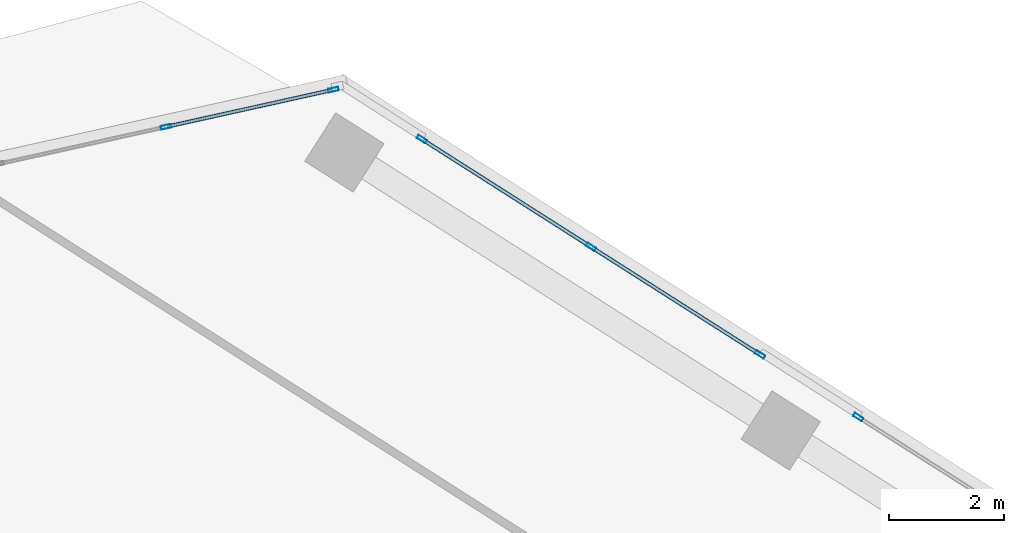
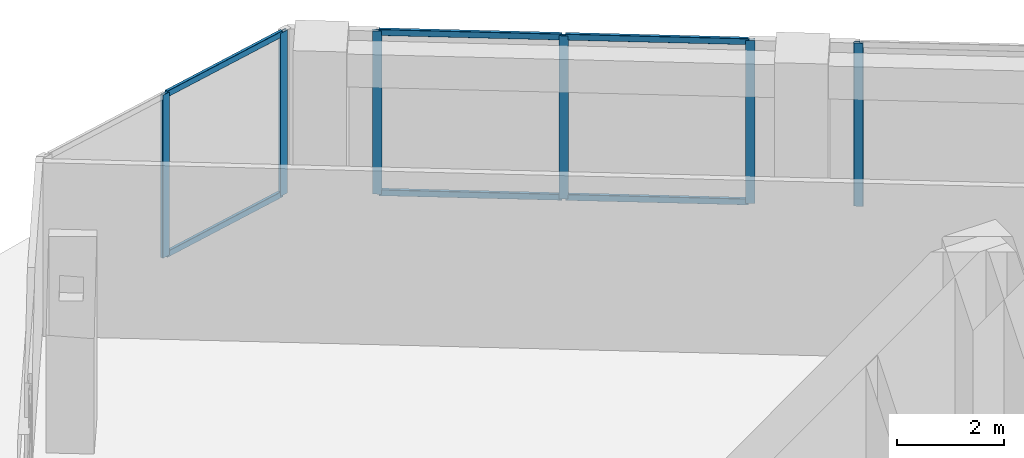
# One storey, part 15 of 23: 12 members, 3 elements without a shape of their own.
"""IFC4 building model written with IfcOpenShell, lengths in metres."""

from ifc_helpers import new_model, si_unit, direction, frame, origin, origin_2d, place, context, subcontext, project, spatial, hollow_rectangle, extrude, source, transform, mapped, material, material_profile, profile_set, type_object, element, aggregate, save


model = new_model("IFC4")

# Units and contexts
model_context = context("Model", 3, precision=1e-05, world=origin(), true_north=direction((0.0, 1.0)))
body_context = subcontext(model_context, "Body", "Model", "MODEL_VIEW")
ifc_project = project(units=[si_unit("LENGTHUNIT", "METRE"), si_unit("AREAUNIT", "SQUARE_METRE"), si_unit("VOLUMEUNIT", "CUBIC_METRE"), si_unit("PLANEANGLEUNIT", "RADIAN"), si_unit("MASSUNIT", "GRAM", prefix="KILO")], contexts=[model_context])

# Site, building, storey
site_placement = place(None, origin())
site = spatial("IfcSite", under=ifc_project, at=site_placement, CompositionType="ELEMENT")
building_placement = place(site_placement, origin())
building = spatial("IfcBuilding", under=site, at=building_placement, Name="Torre Montelarca", CompositionType="ELEMENT")
storey_placement = place(building_placement, frame((0.0, 0.0, 187.60009765625)))
storey = spatial("IfcBuildingStorey", under=building, at=storey_placement, Name="L42", CompositionType="ELEMENT", Elevation=187.60009765625)

# Curtain wall, members
ifc_material_1 = material(Name="Insulated low-E laminated glass", Category="glass")
curtain_wall_type = type_object("IfcCurtainWallType", Name="CW-SYS-Z2", PredefinedType="USERDEFINED", material=ifc_material_1)
curtain_wall_1_placement = place(storey_placement, origin())
curtain_wall_1 = element("IfcCurtainWall", 1, at=curtain_wall_1_placement, inside=storey, type_object=curtain_wall_type, Name="L42 Curtain Wall Run CW-T3-L42-E09-B1", ObjectType="UNITISED GLAZING", PredefinedType="USERDEFINED")
ifc_material_2 = material(Name="Anodised aluminium AA 6063-T6", Category="aluminium")
ifc_material_profile_1 = material_profile(ifc_material_2, hollow_rectangle(XDim=0.06494140625, YDim=0.139892578125, WallThickness=0.00390625, InnerFilletRadius=0.00390625, OuterFilletRadius=0.008056640625, at=origin_2d()), Name="ALU65X140X4", Category="aluminium")
ifc_profile_set_1 = profile_set([ifc_material_profile_1], Name="Anodised aluminium AA 6063-T6")
member_type_1 = type_object("IfcMemberType", Name="CWT-ALU140", PredefinedType="USERDEFINED", material=ifc_profile_set_1)
shared_shape_1 = source(origin(), body_context, "Body", "SweptSolid", [
    extrude(hollow_rectangle(XDim=0.06494140625, YDim=0.139892578125, WallThickness=0.00390625, InnerFilletRadius=0.00390625, OuterFilletRadius=0.008056640625, at=origin_2d()), origin(), (0.0, 0.0, 1.0), 2.91845703125),
])
member_1_placement = place(storey_placement, frame((18.874267578125, 52.578369140625, 0.032470703125), z_axis=(-0.976303049034, -0.216407847472, 0.0), x_axis=(0.216407847472, -0.976303049034, 0.0)))
member_1 = element("IfcMember", 2, at=member_1_placement, type_object=member_type_1, Name="CW transom 1.1", ObjectType="TRANSOM", PredefinedType="USERDEFINED", context=body_context, shape_type="MappedRepresentation", body=[
    mapped(shared_shape_1, transform((0.0, 0.0, 0.0), scale=1.0)),
])
member_2_placement = place(storey_placement, frame((18.874267578125, 52.578369140625, 3.6875), z_axis=(-0.976303049034, -0.216407847472, 0.0), x_axis=(0.216407847472, -0.976303049034, 0.0)))
member_2 = element("IfcMember", 3, at=member_2_placement, type_object=member_type_1, Name="CW transom 1.2", ObjectType="TRANSOM", PredefinedType="USERDEFINED", context=body_context, shape_type="MappedRepresentation", body=[
    mapped(shared_shape_1, transform((0.0, 0.0, 0.0), scale=1.0)),
])

# Curtain wall, member
curtain_wall_2_placement = place(storey_placement, origin())
curtain_wall_2 = element("IfcCurtainWall", 4, at=curtain_wall_2_placement, inside=storey, type_object=curtain_wall_type, Name="L42 Curtain Wall Run CW-T3-L42-E08-B3", ObjectType="UNITISED GLAZING", PredefinedType="USERDEFINED")
ifc_material_profile_2 = material_profile(ifc_material_2, hollow_rectangle(XDim=0.06494140625, YDim=0.179931640625, WallThickness=0.00390625, InnerFilletRadius=0.00390625, OuterFilletRadius=0.008056640625, at=origin_2d()), Name="ALU65X180X4", Category="aluminium")
ifc_profile_set_2 = profile_set([ifc_material_profile_2], Name="Anodised aluminium AA 6063-T6")
member_type_2 = type_object("IfcMemberType", Name="CWM-ALU180", PredefinedType="MULLION", material=ifc_profile_set_2)
shared_shape_2 = source(origin(), body_context, "Body", "SweptSolid", [
    extrude(hollow_rectangle(XDim=0.06494140625, YDim=0.179931640625, WallThickness=0.00390625, InnerFilletRadius=0.00390625, OuterFilletRadius=0.008056640625, at=origin_2d()), origin(), (0.0, 0.0, 1.0), 3.719970703125),
])
member_3_placement = place(storey_placement, frame((28.03662109375, 46.889892578125, 0.0), z_axis=(0.0, 0.0, 1.0), x_axis=(-0.537305573022, -0.843387645866, 0.0)))
member_3 = element("IfcMember", 5, at=member_3_placement, type_object=member_type_2, Name="CW mullion 3", PredefinedType="MULLION", context=body_context, shape_type="MappedRepresentation", body=[
    mapped(shared_shape_2, transform((0.0, 0.0, 0.0), scale=1.0)),
])
aggregate(curtain_wall_2, [member_3])

# Curtain wall, members
curtain_wall_3_placement = place(storey_placement, origin())
curtain_wall_3 = element("IfcCurtainWall", 6, at=curtain_wall_3_placement, inside=storey, type_object=curtain_wall_type, Name="L42 Curtain Wall Run CW-T3-L42-E08-B4", ObjectType="UNITISED GLAZING", PredefinedType="USERDEFINED")
member_4_placement = place(storey_placement, frame((26.32861328125, 47.977783203125, 0.0), z_axis=(0.0, 0.0, 1.0), x_axis=(-0.537305573022, -0.843387645866, 0.0)))
member_4 = element("IfcMember", 7, at=member_4_placement, type_object=member_type_2, Name="CW mullion 1", PredefinedType="MULLION", context=body_context, shape_type="MappedRepresentation", body=[
    mapped(shared_shape_2, transform((0.0, 0.0, 0.0), scale=1.0)),
])
member_5_placement = place(storey_placement, frame((23.38720703125, 49.851806640625, 0.0), z_axis=(0.0, 0.0, 1.0), x_axis=(-0.537305573022, -0.843387645866, 0.0)))
member_5 = element("IfcMember", 8, at=member_5_placement, type_object=member_type_2, Name="CW mullion 2", PredefinedType="MULLION", context=body_context, shape_type="MappedRepresentation", body=[
    mapped(shared_shape_2, transform((0.0, 0.0, 0.0), scale=1.0)),
])
member_6_placement = place(storey_placement, frame((20.446044921875, 51.7255859375, 0.0), z_axis=(0.0, 0.0, 1.0), x_axis=(-0.537305573022, -0.843387645866, 0.0)))
member_6 = element("IfcMember", 9, at=member_6_placement, type_object=member_type_2, Name="CW mullion 3", PredefinedType="MULLION", context=body_context, shape_type="MappedRepresentation", body=[
    mapped(shared_shape_2, transform((0.0, 0.0, 0.0), scale=1.0)),
])

# Member
member_7_placement = place(storey_placement, frame((18.906005859375, 52.58544921875, 0.0), z_axis=(0.0, 0.0, 1.0), x_axis=(0.216447743923, -0.97629420471, 0.0)))
member_7 = element("IfcMember", 10, at=member_7_placement, type_object=member_type_2, Name="CW mullion 1", PredefinedType="MULLION", context=body_context, shape_type="MappedRepresentation", body=[
    mapped(shared_shape_2, transform((0.0, 0.0, 0.0), scale=1.0)),
])

member_8_placement = place(storey_placement, frame((15.9931640625, 51.939697265625, 0.0), z_axis=(0.0, 0.0, 1.0), x_axis=(0.216447743923, -0.97629420471, 0.0)))
member_8 = element("IfcMember", 11, at=member_8_placement, type_object=member_type_2, Name="CW mullion 2", PredefinedType="MULLION", context=body_context, shape_type="MappedRepresentation", body=[
    mapped(shared_shape_2, transform((0.0, 0.0, 0.0), scale=1.0)),
])

aggregate(curtain_wall_1, [member_7, member_8, member_1, member_2])

shared_shape_3 = source(origin(), body_context, "Body", "SweptSolid", [
    extrude(hollow_rectangle(XDim=0.06494140625, YDim=0.139892578125, WallThickness=0.00390625, InnerFilletRadius=0.00390625, OuterFilletRadius=0.008056640625, at=origin_2d()), origin(), (0.0, 0.0, 1.0), 3.42236328125),
])
member_9_placement = place(storey_placement, frame((26.30126953125, 47.995361328125, 0.032470703125), z_axis=(-0.843394086607, 0.537295463108, 0.0), x_axis=(-0.537295463108, -0.843394086607, 0.0)))
member_9 = element("IfcMember", 12, at=member_9_placement, type_object=member_type_1, Name="CW transom 1.1", ObjectType="TRANSOM", PredefinedType="USERDEFINED", context=body_context, shape_type="MappedRepresentation", body=[
    mapped(shared_shape_3, transform((0.0, 0.0, 0.0), scale=1.0)),
])

member_10_placement = place(storey_placement, frame((26.30126953125, 47.995361328125, 3.6875), z_axis=(-0.843394086607, 0.537295463108, 0.0), x_axis=(-0.537295463108, -0.843394086607, 0.0)))
member_10 = element("IfcMember", 13, at=member_10_placement, type_object=member_type_1, Name="CW transom 1.2", ObjectType="TRANSOM", PredefinedType="USERDEFINED", context=body_context, shape_type="MappedRepresentation", body=[
    mapped(shared_shape_3, transform((0.0, 0.0, 0.0), scale=1.0)),
])

member_11_placement = place(storey_placement, frame((23.35986328125, 49.869140625, 0.032470703125), z_axis=(-0.843394086607, 0.537295463108, 0.0), x_axis=(-0.537295463108, -0.843394086607, 0.0)))
member_11 = element("IfcMember", 14, at=member_11_placement, type_object=member_type_1, Name="CW transom 2.1", ObjectType="TRANSOM", PredefinedType="USERDEFINED", context=body_context, shape_type="MappedRepresentation", body=[
    mapped(shared_shape_3, transform((0.0, 0.0, 0.0), scale=1.0)),
])

member_12_placement = place(storey_placement, frame((23.35986328125, 49.869140625, 3.6875), z_axis=(-0.843394086607, 0.537295463108, 0.0), x_axis=(-0.537295463108, -0.843394086607, 0.0)))
member_12 = element("IfcMember", 15, at=member_12_placement, type_object=member_type_1, Name="CW transom 2.2", ObjectType="TRANSOM", PredefinedType="USERDEFINED", context=body_context, shape_type="MappedRepresentation", body=[
    mapped(shared_shape_3, transform((0.0, 0.0, 0.0), scale=1.0)),
])

aggregate(curtain_wall_3, [member_4, member_5, member_6, member_9, member_10, member_11, member_12])

save(model, "model.ifc")
